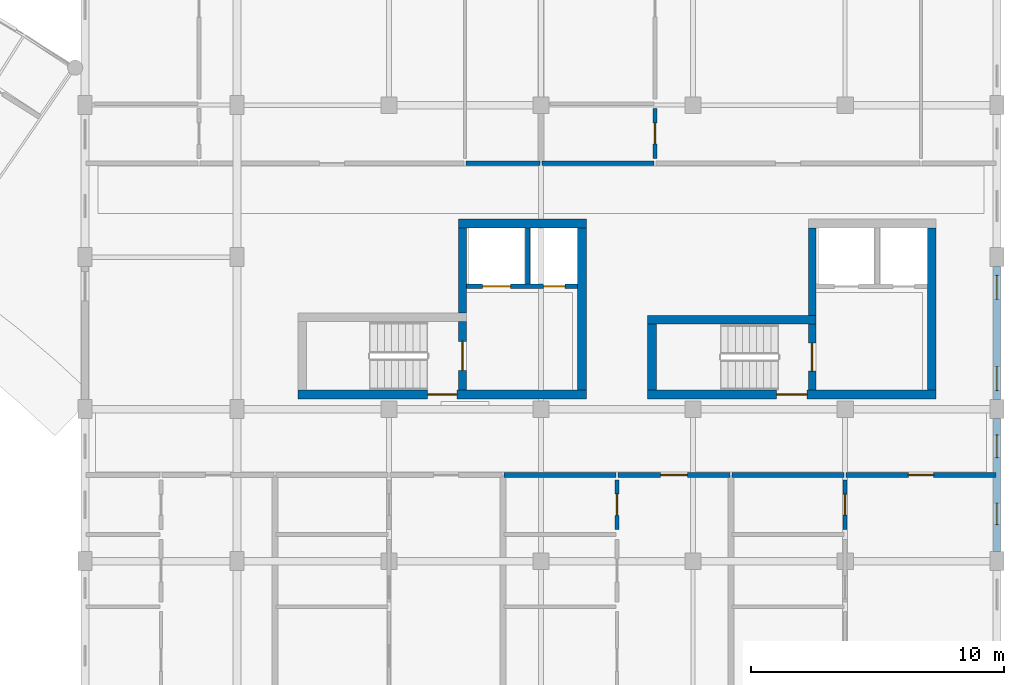
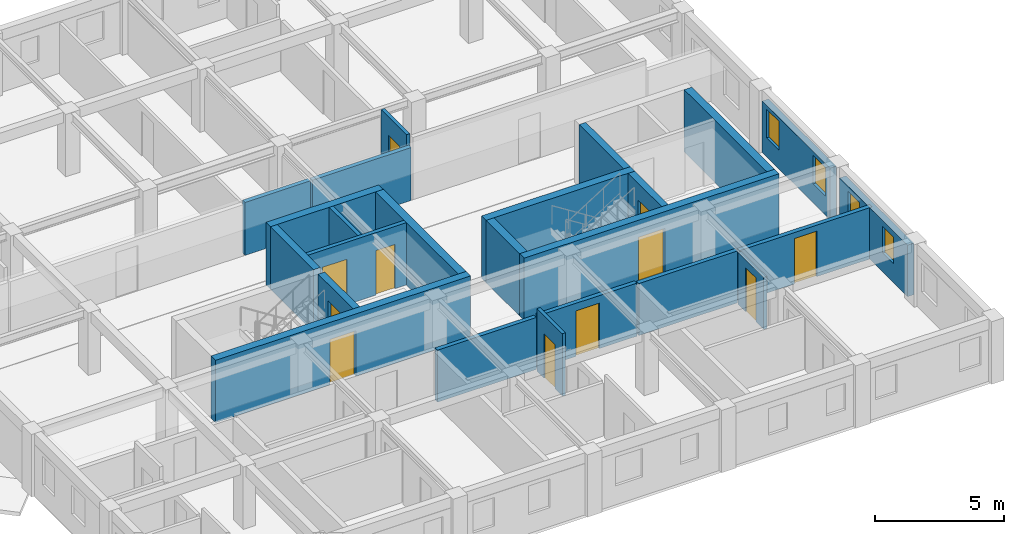
# One storey, part 79 of 100: 24 walls, 11 doors, 4 windows, 15 openings.
"""IFC4 building model written with IfcOpenShell, lengths in metres."""

import ifcopenshell
import ifcopenshell.guid

model = None  # the IFC model being written
_history = None  # IfcOwnerHistory: only IFC2X3 demands one
_inside = {}  # id of a spatial element -> (the spatial element, [elements in it])
_under = {}  # id of a project, library or spatial element -> (it, [spatial elements below it])
_declared = {}  # id of a project -> (the project, [libraries it declares])
_typed = {}  # id of a type object -> (the type object, [elements of that type])
_made_of = {}  # id of a material, layer set ... -> (it, [elements and type objects made of it])


def new_model(schema):
    """Start an empty IFC model of exactly this schema.

    Asked for "IFC4X3", IfcOpenShell would pick the latest addendum, in which some entities
    have other attributes; the version numbers below select the first issue.
    IFC2X3 requires an IfcOwnerHistory on every rooted entity: one is made here for all.
    """
    global model, _history
    if schema == "IFC4X3":
        model = ifcopenshell.file(schema_version=(4, 3, 0, 0))
    else:
        model = ifcopenshell.file(schema=schema)
    _inside.clear()
    _under.clear()
    _declared.clear()
    _typed.clear()
    _made_of.clear()
    _history = None
    if model.schema == "IFC2X3":
        org = make("IfcOrganization", Name="unknown")
        user = make(
            "IfcPersonAndOrganization",
            ThePerson=make("IfcPerson", FamilyName="unknown"),
            TheOrganization=org,
        )
        app = make(
            "IfcApplication",
            ApplicationDeveloper=org,
            Version="unknown",
            ApplicationFullName="unknown",
            ApplicationIdentifier="unknown",
        )
        _history = make(
            "IfcOwnerHistory",
            OwningUser=user,
            OwningApplication=app,
            ChangeAction="ADDED",
            CreationDate=0,
        )
    return model


def make(cls, **values):
    """One entity of the class cls with the attributes given. An attribute that is None is left unset."""
    return model.create_entity(
        cls, **{name: value for name, value in values.items() if value is not None}
    )


def rooted(cls, **values):
    """An entity with a GlobalId (a new one), such as an element, a storey or a relation."""
    return make(cls, GlobalId=ifcopenshell.guid.new(), OwnerHistory=_history, **values)


def si_unit(unit_type, name, prefix=None):
    """IfcSIUnit, for example si_unit("LENGTHUNIT", "METRE", prefix="MILLI")."""
    return make("IfcSIUnit", UnitType=unit_type, Prefix=prefix, Name=name)


def assignment(units):
    """IfcUnitAssignment: the units of a project."""
    return None if units is None else make("IfcUnitAssignment", Units=units)


def point(xyz):
    """IfcCartesianPoint."""
    return None if xyz is None else make("IfcCartesianPoint", Coordinates=xyz)


def direction(xyz):
    """IfcDirection."""
    return None if xyz is None else make("IfcDirection", DirectionRatios=xyz)


def frame(location, z_axis=None, x_axis=None):
    """IfcAxis2Placement3D, a coordinate frame: its origin and axes. An axis left out is left unset."""
    return make(
        "IfcAxis2Placement3D",
        Location=point(location),
        Axis=direction(z_axis),
        RefDirection=direction(x_axis),
    )


def frame_2d(location, x_axis=None):
    """IfcAxis2Placement2D, a coordinate frame in the plane: its origin and x axis."""
    return make(
        "IfcAxis2Placement2D", Location=point(location), RefDirection=direction(x_axis)
    )


def origin():
    """The frame at (0, 0, 0) with its axes left unset."""
    return frame((0.0, 0.0, 0.0))


def place(relative_to, where):
    """IfcLocalPlacement: puts the frame where relative to a parent placement (None: the world)."""
    return make(
        "IfcLocalPlacement", PlacementRelTo=relative_to, RelativePlacement=where
    )


def context(
    kind, dimensions, precision=None, world=None, true_north=None, identifier=None
):
    """IfcGeometricRepresentationContext, for example the 3D "Model" context."""
    return make(
        "IfcGeometricRepresentationContext",
        ContextIdentifier=identifier,
        ContextType=kind,
        CoordinateSpaceDimension=dimensions,
        Precision=precision,
        WorldCoordinateSystem=world,
        TrueNorth=true_north,
    )


def subcontext(parent, identifier, kind, view, scale=None):
    """IfcGeometricRepresentationSubContext, for example "Body" below "Model"."""
    return make(
        "IfcGeometricRepresentationSubContext",
        ContextIdentifier=identifier,
        ContextType=kind,
        ParentContext=parent,
        TargetScale=scale,
        TargetView=view,
    )


def project(units=None, contexts=None):
    """IfcProject with its units and contexts."""
    return rooted(
        "IfcProject",
        Name="project",
        RepresentationContexts=contexts,
        UnitsInContext=assignment(units),
    )


def spatial(cls, under=None, at=None, **own):
    """A site, building, storey or space (cls), placed at a placement, below another one or the project."""
    s = rooted(cls, ObjectPlacement=at, **own)
    if under is not None:
        _under.setdefault(under.id(), (under, []))[1].append(s)
    return s


def profile(cls, at=None, kind="AREA", **sizes):
    """A parametric profile (cls). Its sizes go by their IFC names, for example OverallWidth=200.0."""
    return make(cls, ProfileType=kind, Position=at, **sizes)


def rectangle(**sizes):
    """IfcRectangleProfileDef."""
    return profile("IfcRectangleProfileDef", **sizes)


def extrude(swept, where, along, depth):
    """IfcExtrudedAreaSolid: the profile swept, set in the frame where, extruded along a direction by depth."""
    return make(
        "IfcExtrudedAreaSolid",
        SweptArea=swept,
        Position=where,
        ExtrudedDirection=direction(along),
        Depth=depth,
    )


def shape(context_of_items, identifier, shape_type, items):
    """IfcShapeRepresentation: the items that make up one representation, for example the "Body"."""
    return make(
        "IfcShapeRepresentation",
        ContextOfItems=context_of_items,
        RepresentationIdentifier=identifier,
        RepresentationType=shape_type,
        Items=items,
    )


def material(Name=None, Category=None):
    """IfcMaterial."""
    return make("IfcMaterial", Name=Name, Category=Category)


def layer(
    of_material, thickness, ventilated=None, Name=None, Category=None, Priority=None
):
    """IfcMaterialLayer: one layer of a wall or slab, of a material (None: an air gap)."""
    return make(
        "IfcMaterialLayer",
        Material=of_material,
        LayerThickness=thickness,
        IsVentilated=ventilated,
        Name=Name,
        Category=Category,
        Priority=Priority,
    )


def layer_set(layers, Name=None):
    """IfcMaterialLayerSet."""
    return make("IfcMaterialLayerSet", MaterialLayers=layers, LayerSetName=Name)


def made_of(thing, what):
    """Note that an element or type object is made of a material, layer set ...; save() writes the relation."""
    if what is not None:
        _made_of.setdefault(what.id(), (what, []))[1].append(thing)
    return thing


def type_object(cls, material=None, **own):
    """A type object (cls), such as IfcWallType, which elements share."""
    return made_of(rooted(cls, **own), material)


def element(
    cls,
    number,
    at=None,
    inside=None,
    cuts=None,
    type_object=None,
    material=None,
    context=None,
    identifier="Body",
    shape_type=None,
    held_by="IfcProductDefinitionShape",
    body=None,
    shapes=None,
    **own,
):
    """One element of the class cls, such as IfcWall. Its Tag is "e" and its number.

    at: its placement. inside: the storey or other place that contains it. cuts: it is an
    opening in that element (IfcRelVoidsElement). A single representation is given by context,
    identifier, shape_type and body (its items); several are given by shapes. held_by: the class
    of the entity that holds the representations. save() writes the other relations.
    """
    e = rooted(cls, Tag="e%d" % number, ObjectPlacement=at, **own)
    if body is not None:
        shapes = [shape(context, identifier, shape_type, body)]
    if shapes is not None:
        e.Representation = make(held_by, Representations=shapes)
    if inside is not None:
        _inside.setdefault(inside.id(), (inside, []))[1].append(e)
    if cuts is not None:
        rooted(
            "IfcRelVoidsElement", RelatingBuildingElement=cuts, RelatedOpeningElement=e
        )
    if type_object is not None:
        _typed.setdefault(type_object.id(), (type_object, []))[1].append(e)
    return made_of(e, material)


def fill(opening, filler):
    """IfcRelFillsElement: the door or window that sits in an opening."""
    return rooted(
        "IfcRelFillsElement",
        RelatingOpeningElement=opening,
        RelatedBuildingElement=filler,
    )


def aggregate(whole, parts):
    """IfcRelAggregates: a whole, such as a stair, and the parts it consists of."""
    return rooted("IfcRelAggregates", RelatingObject=whole, RelatedObjects=parts)


def save(model, path):
    """Write the relations noted so far, then the file.

    IfcRelAggregates (storeys below a building ...), IfcRelContainedInSpatialStructure (elements
    in a storey), IfcRelDefinesByType, IfcRelAssociatesMaterial and IfcRelDeclares: one each for
    every whole, place, type object, material and project.
    """
    for whole, parts in _under.values():
        aggregate(whole, parts)
    for where, things in _inside.values():
        rooted(
            "IfcRelContainedInSpatialStructure",
            RelatedElements=things,
            RelatingStructure=where,
        )
    for kind, things in _typed.values():
        rooted("IfcRelDefinesByType", RelatedObjects=things, RelatingType=kind)
    for what, things in _made_of.values():
        rooted("IfcRelAssociatesMaterial", RelatedObjects=things, RelatingMaterial=what)
    for by, libraries in _declared.values():
        rooted("IfcRelDeclares", RelatingContext=by, RelatedDefinitions=libraries)
    model.write(path)


model = new_model("IFC4")

# Units and contexts
model_context = context("Model", 3, precision=1e-05, world=origin(), true_north=direction((0.0, 1.0)))
body_context = subcontext(model_context, "Body", "Model", "MODEL_VIEW")
ifc_project = project(units=[si_unit("LENGTHUNIT", "METRE"), si_unit("AREAUNIT", "SQUARE_METRE"), si_unit("VOLUMEUNIT", "CUBIC_METRE"), si_unit("PLANEANGLEUNIT", "RADIAN"), si_unit("MASSUNIT", "GRAM", prefix="KILO"), si_unit("POWERUNIT", "WATT"), si_unit("THERMODYNAMICTEMPERATUREUNIT", "KELVIN")], contexts=[model_context])

# Site, building, storey
site_placement = place(None, origin())
site = spatial("IfcSite", under=ifc_project, at=site_placement, CompositionType="ELEMENT")
building_placement = place(site_placement, origin())
building = spatial("IfcBuilding", under=site, at=building_placement, Name="Ruvembo Vaulted Housing Court", CompositionType="ELEMENT")
storey_placement = place(building_placement, frame((0.0, 0.0, 14.10009765625)))
storey = spatial("IfcBuildingStorey", under=building, at=storey_placement, Name="L04", CompositionType="ELEMENT", Elevation=14.10009765625)

# Wall, opening, door
ifc_material_1 = material(Name="Concrete C35/45", Category="concrete")
ifc_layer_1 = layer(ifc_material_1, 0.300048828125, Name="Concrete C35/45")
ifc_layer_set_1 = layer_set([ifc_layer_1], Name="Concrete C35/45")
wall_type_1 = type_object("IfcWallType", Name="WL-CORE-300", PredefinedType="SHEAR", material=ifc_layer_set_1)
wall_1_placement = place(storey_placement, frame((164.89990234375, 84.75, 0.0), z_axis=(0.0, 0.0, 1.0), x_axis=(0.0, 1.0, 0.0)))
wall_1 = element("IfcWall", 1, at=wall_1_placement, inside=storey, type_object=wall_type_1, Name="Core D1 L04 Stair-Lobby Shear Wall", PredefinedType="SHEAR", context=body_context, shape_type="SweptSolid", body=[
    extrude(rectangle(XDim=2.699951171875, YDim=0.300048828125, at=frame_2d((1.35009765625, 0.0))), origin(), (0.0, 0.0, 1.0), 2.949951171875),
])
opening_1_placement = place(wall_1_placement, frame((0.77490234375, 0.0, 0.0)))
opening_1 = element("IfcOpeningElement", 2, at=opening_1_placement, cuts=wall_1, Name="Opening SD1", PredefinedType="OPENING", context=body_context, shape_type="SweptSolid", body=[
    extrude(rectangle(XDim=1.14990234375, YDim=2.14990234375, at=frame_2d((0.574951171875, 1.074951171875))), frame((0.0, 0.159912109375, 0.0), z_axis=(0.0, -1.0, 0.0), x_axis=(1.0, 0.0, 0.0)), (0.0, 0.0, 1.0), 0.320068359375),
])
ifc_material_2 = material(Name="Galvanised Painted Steel", Category="steel")
door_type_1 = type_object("IfcDoorType", Name="DR-STAIR-1150x2150", OperationType="NOTDEFINED", PredefinedType="DOOR", material=ifc_material_2)
door_1_placement = place(opening_1_placement, origin())
door_1 = element("IfcDoor", 3, at=door_1_placement, inside=storey, type_object=door_type_1, Name="Stair ST-D1 L04 Fire Door", OperationType="SINGLE_SWING_LEFT", OverallHeight=2.14990234375, OverallWidth=1.14990234375, PredefinedType="DOOR", context=body_context, shape_type="SweptSolid", body=[
    extrude(rectangle(XDim=1.14990234375, YDim=2.14990234375, at=frame_2d((0.574951171875, 1.074951171875))), frame((0.0, 0.02490234375, 0.0), z_axis=(0.0, -1.0, 0.0), x_axis=(1.0, 0.0, 0.0)), (0.0, 0.0, 1.0), 0.050048828125),
])
fill(opening_1, door_1)

# Wall
wall_2_placement = place(storey_placement, frame((164.89990234375, 87.800048828125, 0.0), z_axis=(0.0, 0.0, 1.0), x_axis=(0.0, 1.0, 0.0)))
element("IfcWall", 4, at=wall_2_placement, inside=storey, type_object=wall_type_1, Name="Core D1 L04 Upper West Shear Wall", PredefinedType="SHEAR", context=body_context, shape_type="SweptSolid", body=[
    extrude(rectangle(XDim=3.349853515625, YDim=0.300048828125, at=frame_2d((1.6748046875, 0.0))), origin(), (0.0, 0.0, 1.0), 2.949951171875),
])

# Wall, opening, door
wall_3_placement = place(storey_placement, frame((178.699951171875, 84.75, 0.0), z_axis=(0.0, 0.0, 1.0), x_axis=(0.0, 1.0, 0.0)))
wall_3 = element("IfcWall", 5, at=wall_3_placement, inside=storey, type_object=wall_type_1, Name="Core D2 L04 Stair-Lobby Shear Wall", PredefinedType="SHEAR", context=body_context, shape_type="SweptSolid", body=[
    extrude(rectangle(XDim=2.60009765625, YDim=0.300048828125, at=frame_2d((1.300048828125, 0.0))), origin(), (0.0, 0.0, 1.0), 2.949951171875),
])
opening_2_placement = place(wall_3_placement, frame((0.75, 0.0, 0.0)))
opening_2 = element("IfcOpeningElement", 6, at=opening_2_placement, cuts=wall_3, Name="Opening SD2", PredefinedType="OPENING", context=body_context, shape_type="SweptSolid", body=[
    extrude(rectangle(XDim=1.10009765625, YDim=2.14990234375, at=frame_2d((0.550048828125, 1.074951171875))), frame((0.0, 0.159912109375, 0.0), z_axis=(0.0, -1.0, 0.0), x_axis=(1.0, 0.0, 0.0)), (0.0, 0.0, 1.0), 0.320068359375),
])
door_type_2 = type_object("IfcDoorType", Name="DR-STAIR-1100x2150", OperationType="NOTDEFINED", PredefinedType="DOOR", material=ifc_material_2)
door_2_placement = place(opening_2_placement, origin())
door_2 = element("IfcDoor", 7, at=door_2_placement, inside=storey, type_object=door_type_2, Name="Stair ST-D2 L04 Fire Door", OperationType="SINGLE_SWING_LEFT", OverallHeight=2.14990234375, OverallWidth=1.10009765625, PredefinedType="DOOR", context=body_context, shape_type="SweptSolid", body=[
    extrude(rectangle(XDim=1.10009765625, YDim=2.14990234375, at=frame_2d((0.550048828125, 1.074951171875))), frame((0.0, 0.02490234375, 0.0), z_axis=(0.0, -1.0, 0.0), x_axis=(1.0, 0.0, 0.0)), (0.0, 0.0, 1.0), 0.050048828125),
])
fill(opening_2, door_2)

# Wall
wall_4_placement = place(storey_placement, frame((178.699951171875, 87.699951171875, 0.0), z_axis=(0.0, 0.0, 1.0), x_axis=(0.0, 1.0, 0.0)))
element("IfcWall", 8, at=wall_4_placement, inside=storey, type_object=wall_type_1, Name="Core D2 L04 Upper West Shear Wall", PredefinedType="SHEAR", context=body_context, shape_type="SweptSolid", body=[
    extrude(rectangle(XDim=3.449951171875, YDim=0.300048828125, at=frame_2d((1.72509765625, 0.0))), origin(), (0.0, 0.0, 1.0), 2.949951171875),
])

# Wall, opening, door
ifc_layer_2 = layer(ifc_material_1, 0.35009765625, Name="Concrete C35/45")
ifc_layer_set_2 = layer_set([ifc_layer_2], Name="Concrete C35/45")
wall_type_2 = type_object("IfcWallType", Name="WL-CORE-350", PredefinedType="SHEAR", material=ifc_layer_set_2)
wall_5_placement = place(storey_placement, frame((158.39990234375, 84.574951171875, 0.0), z_axis=(0.0, 0.0, 1.0), x_axis=(1.0, 0.0, 0.0)))
wall_5 = element("IfcWall", 9, at=wall_5_placement, inside=storey, type_object=wall_type_2, Name="Core D1 L04 South Shear Wall", PredefinedType="SHEAR", context=body_context, shape_type="SweptSolid", body=[
    extrude(rectangle(XDim=11.400146484375, YDim=0.35009765625, at=frame_2d((5.7001953125, 0.0))), origin(), (0.0, 0.0, 1.0), 2.949951171875),
])
opening_3_placement = place(wall_5_placement, frame((5.125, 0.0, 0.0)))
opening_3 = element("IfcOpeningElement", 10, at=opening_3_placement, cuts=wall_5, Name="Opening LD0", PredefinedType="OPENING", context=body_context, shape_type="SweptSolid", body=[
    extrude(rectangle(XDim=1.14990234375, YDim=2.14990234375, at=frame_2d((0.574951171875, 1.074951171875))), frame((0.0, 0.18505859375, 0.0), z_axis=(0.0, -1.0, 0.0), x_axis=(1.0, 0.0, 0.0)), (0.0, 0.0, 1.0), 0.3701171875),
])
door_type_3 = type_object("IfcDoorType", Name="DR-LOB-1150x2150", OperationType="NOTDEFINED", PredefinedType="DOOR", material=ifc_material_2)
door_3_placement = place(opening_3_placement, origin())
door_3 = element("IfcDoor", 11, at=door_3_placement, inside=storey, type_object=door_type_3, Name="Core D1 L04 Lobby Fire Door", OperationType="SINGLE_SWING_RIGHT", OverallHeight=2.14990234375, OverallWidth=1.14990234375, PredefinedType="DOOR", context=body_context, shape_type="SweptSolid", body=[
    extrude(rectangle(XDim=1.14990234375, YDim=2.14990234375, at=frame_2d((0.574951171875, 1.074951171875))), frame((0.0, 0.02490234375, 0.0), z_axis=(0.0, -1.0, 0.0), x_axis=(1.0, 0.0, 0.0)), (0.0, 0.0, 1.0), 0.050048828125),
])
fill(opening_3, door_3)

# Walls
wall_6_placement = place(storey_placement, frame((169.800048828125, 91.324951171875, 0.0), z_axis=(0.0, 0.0, 1.0), x_axis=(-1.0, 0.0, 0.0)))
element("IfcWall", 12, at=wall_6_placement, inside=storey, type_object=wall_type_2, Name="Core D1 L04 North Shear Wall", PredefinedType="SHEAR", context=body_context, shape_type="SweptSolid", body=[
    extrude(rectangle(XDim=5.050048828125, YDim=0.35009765625, at=frame_2d((2.52490234375, 0.0))), origin(), (0.0, 0.0, 1.0), 2.949951171875),
])
wall_7_placement = place(storey_placement, frame((169.625, 84.75, 0.0), z_axis=(0.0, 0.0, 1.0), x_axis=(0.0, 1.0, 0.0)))
element("IfcWall", 13, at=wall_7_placement, inside=storey, type_object=wall_type_2, Name="Core D1 L04 East Shear Wall", PredefinedType="SHEAR", context=body_context, shape_type="SweptSolid", body=[
    extrude(rectangle(XDim=6.39990234375, YDim=0.35009765625, at=frame_2d((3.199951171875, 0.0))), origin(), (0.0, 0.0, 1.0), 2.949951171875),
])

# Wall, opening, door
wall_8_placement = place(storey_placement, frame((172.199951171875, 84.574951171875, 0.0), z_axis=(0.0, 0.0, 1.0), x_axis=(1.0, 0.0, 0.0)))
wall_8 = element("IfcWall", 14, at=wall_8_placement, inside=storey, type_object=wall_type_2, Name="Core D2 L04 South Shear Wall", PredefinedType="SHEAR", context=body_context, shape_type="SweptSolid", body=[
    extrude(rectangle(XDim=11.400146484375, YDim=0.35009765625, at=frame_2d((5.7001953125, 0.0))), origin(), (0.0, 0.0, 1.0), 2.949951171875),
])
opening_4_placement = place(wall_8_placement, frame((5.10009765625, 0.0, 0.0)))
opening_4 = element("IfcOpeningElement", 15, at=opening_4_placement, cuts=wall_8, Name="Opening LD3", PredefinedType="OPENING", context=body_context, shape_type="SweptSolid", body=[
    extrude(rectangle(XDim=1.199951171875, YDim=2.14990234375, at=frame_2d((0.60009765625, 1.074951171875))), frame((0.0, 0.18505859375, 0.0), z_axis=(0.0, -1.0, 0.0), x_axis=(1.0, 0.0, 0.0)), (0.0, 0.0, 1.0), 0.3701171875),
])
door_type_4 = type_object("IfcDoorType", Name="DR-LOB-1200x2150", OperationType="NOTDEFINED", PredefinedType="DOOR", material=ifc_material_2)
door_4_placement = place(opening_4_placement, origin())
door_4 = element("IfcDoor", 16, at=door_4_placement, inside=storey, type_object=door_type_4, Name="Core D2 L04 Lobby Fire Door", OperationType="SINGLE_SWING_RIGHT", OverallHeight=2.14990234375, OverallWidth=1.199951171875, PredefinedType="DOOR", context=body_context, shape_type="SweptSolid", body=[
    extrude(rectangle(XDim=1.199951171875, YDim=2.14990234375, at=frame_2d((0.60009765625, 1.074951171875))), frame((0.0, 0.02490234375, 0.0), z_axis=(0.0, -1.0, 0.0), x_axis=(1.0, 0.0, 0.0)), (0.0, 0.0, 1.0), 0.050048828125),
])
fill(opening_4, door_4)

# Walls
wall_9_placement = place(storey_placement, frame((178.85009765625, 87.52490234375, 0.0), z_axis=(0.0, 0.0, 1.0), x_axis=(-1.0, 0.0, 0.0)))
element("IfcWall", 17, at=wall_9_placement, inside=storey, type_object=wall_type_2, Name="Core D2 L04 Stair North Shear Wall", PredefinedType="SHEAR", context=body_context, shape_type="SweptSolid", body=[
    extrude(rectangle(XDim=6.650146484375, YDim=0.35009765625, at=frame_2d((3.3251953125, 0.0))), origin(), (0.0, 0.0, 1.0), 2.949951171875),
])
wall_10_placement = place(storey_placement, frame((172.375, 87.35009765625, 0.0), z_axis=(0.0, 0.0, 1.0), x_axis=(0.0, -1.0, 0.0)))
element("IfcWall", 18, at=wall_10_placement, inside=storey, type_object=wall_type_2, Name="Core D2 L04 Stair West Shear Wall", PredefinedType="SHEAR", context=body_context, shape_type="SweptSolid", body=[
    extrude(rectangle(XDim=2.60009765625, YDim=0.35009765625, at=frame_2d((1.300048828125, 0.0))), origin(), (0.0, 0.0, 1.0), 2.949951171875),
])
wall_11_placement = place(storey_placement, frame((183.425048828125, 84.75, 0.0), z_axis=(0.0, 0.0, 1.0), x_axis=(0.0, 1.0, 0.0)))
element("IfcWall", 19, at=wall_11_placement, inside=storey, type_object=wall_type_2, Name="Core D2 L04 East Shear Wall", PredefinedType="SHEAR", context=body_context, shape_type="SweptSolid", body=[
    extrude(rectangle(XDim=6.39990234375, YDim=0.35009765625, at=frame_2d((3.199951171875, 0.0))), origin(), (0.0, 0.0, 1.0), 2.949951171875),
])
ifc_material_3 = material(Name="Concrete Blockwork 190", Category="masonry")
ifc_layer_3 = layer(ifc_material_3, 0.18994140625, Name="Concrete Blockwork 190")
ifc_layer_set_3 = layer_set([ifc_layer_3], Name="Concrete Blockwork 190")
wall_type_3 = type_object("IfcWallType", Name="WL-CORR-190", PredefinedType="SOLIDWALL", material=ifc_layer_set_3)
wall_12_placement = place(storey_placement, frame((166.5400390625, 81.39990234375, 0.0), z_axis=(0.0, 0.0, 1.0), x_axis=(1.0, 0.0, 0.0)))
element("IfcWall", 20, at=wall_12_placement, inside=storey, type_object=wall_type_3, Name="L04 Flat D-L04-S3 Corridor Wall WL-INT-L04-01254", PredefinedType="SOLIDWALL", context=body_context, shape_type="SweptSolid", body=[
    extrude(rectangle(XDim=4.419921875, YDim=0.18994140625, at=frame_2d((2.2099609375, 0.0))), origin(), (0.0, 0.0, 1.0), 2.4580078125),
])

# Wall, opening, door
wall_13_placement = place(storey_placement, frame((171.0400390625, 81.39990234375, 0.0), z_axis=(0.0, 0.0, 1.0), x_axis=(1.0, 0.0, 0.0)))
wall_13 = element("IfcWall", 21, at=wall_13_placement, inside=storey, type_object=wall_type_3, Name="L04 Flat D-L04-S3 Entrance WL-INT-L04-01255", PredefinedType="SOLIDWALL", context=body_context, shape_type="SweptSolid", body=[
    extrude(rectangle(XDim=4.419921875, YDim=0.18994140625, at=frame_2d((2.2099609375, 0.0))), origin(), (0.0, 0.0, 1.0), 2.5078125),
])
opening_5_placement = place(wall_13_placement, frame((1.68505859375, 0.0, 0.0)))
opening_5 = element("IfcOpeningElement", 22, at=opening_5_placement, cuts=wall_13, Name="Opening FD3", PredefinedType="OPENING", context=body_context, shape_type="SweptSolid", body=[
    extrude(rectangle(XDim=1.050048828125, YDim=2.14990234375, at=frame_2d((0.52490234375, 1.074951171875))), frame((0.0, 0.10498046875, 0.0), z_axis=(0.0, -1.0, 0.0), x_axis=(1.0, 0.0, 0.0)), (0.0, 0.0, 1.0), 0.2099609375),
])
ifc_material_4 = material(Name="FSC Hardwood and Engineered Timber", Category="wood")
door_type_5 = type_object("IfcDoorType", Name="DR-FLAT-1050x2150", OperationType="NOTDEFINED", PredefinedType="DOOR", material=ifc_material_4)
door_5_placement = place(opening_5_placement, origin())
door_5 = element("IfcDoor", 23, at=door_5_placement, inside=storey, type_object=door_type_5, Name="L04 Flat D-L04-S3 Entrance Door DR-INT-L04-00698", OperationType="SINGLE_SWING_RIGHT", OverallHeight=2.14990234375, OverallWidth=1.050048828125, PredefinedType="DOOR", context=body_context, shape_type="SweptSolid", body=[
    extrude(rectangle(XDim=1.050048828125, YDim=2.14990234375, at=frame_2d((0.52490234375, 1.074951171875))), frame((0.0, 0.02490234375, 0.0), z_axis=(0.0, -1.0, 0.0), x_axis=(1.0, 0.0, 0.0)), (0.0, 0.0, 1.0), 0.050048828125),
])
fill(opening_5, door_5)

# Wall
wall_14_placement = place(storey_placement, frame((175.5400390625, 81.39990234375, 0.0), z_axis=(0.0, 0.0, 1.0), x_axis=(1.0, 0.0, 0.0)))
element("IfcWall", 24, at=wall_14_placement, inside=storey, type_object=wall_type_3, Name="L04 Flat D-L04-S4 Corridor Wall WL-INT-L04-01261", PredefinedType="SOLIDWALL", context=body_context, shape_type="SweptSolid", body=[
    extrude(rectangle(XDim=4.419921875, YDim=0.18994140625, at=frame_2d((2.2099609375, 0.0))), origin(), (0.0, 0.0, 1.0), 2.4580078125),
])

# Wall, opening, door
wall_15_placement = place(storey_placement, frame((180.0400390625, 81.39990234375, 0.0), z_axis=(0.0, 0.0, 1.0), x_axis=(1.0, 0.0, 0.0)))
wall_15 = element("IfcWall", 25, at=wall_15_placement, inside=storey, type_object=wall_type_3, Name="L04 Flat D-L04-S4 Entrance WL-INT-L04-01262", PredefinedType="SOLIDWALL", context=body_context, shape_type="SweptSolid", body=[
    extrude(rectangle(XDim=5.919921875, YDim=0.18994140625, at=frame_2d((2.9599609375, 0.0))), origin(), (0.0, 0.0, 1.0), 2.431884765625),
])
opening_6_placement = place(wall_15_placement, frame((2.4599609375, 0.0, 0.0)))
opening_6 = element("IfcOpeningElement", 26, at=opening_6_placement, cuts=wall_15, Name="Opening FD1", PredefinedType="OPENING", context=body_context, shape_type="SweptSolid", body=[
    extrude(rectangle(XDim=1.0, YDim=2.14990234375, at=frame_2d((0.5, 1.074951171875))), frame((0.0, 0.10498046875, 0.0), z_axis=(0.0, -1.0, 0.0), x_axis=(1.0, 0.0, 0.0)), (0.0, 0.0, 1.0), 0.2099609375),
])
door_type_6 = type_object("IfcDoorType", Name="DR-FLAT-1000x2150", OperationType="NOTDEFINED", PredefinedType="DOOR", material=ifc_material_4)
door_6_placement = place(opening_6_placement, origin())
door_6 = element("IfcDoor", 27, at=door_6_placement, inside=storey, type_object=door_type_6, Name="L04 Flat D-L04-S4 Entrance Door DR-INT-L04-00702", OperationType="SINGLE_SWING_RIGHT", OverallHeight=2.14990234375, OverallWidth=1.0, PredefinedType="DOOR", context=body_context, shape_type="SweptSolid", body=[
    extrude(rectangle(XDim=1.0, YDim=2.14990234375, at=frame_2d((0.5, 1.074951171875))), frame((0.0, 0.02490234375, 0.0), z_axis=(0.0, -1.0, 0.0), x_axis=(1.0, 0.0, 0.0)), (0.0, 0.0, 1.0), 0.050048828125),
])
fill(opening_6, door_6)

# Walls
wall_16_placement = place(storey_placement, frame((165.0400390625, 93.699951171875, 0.0), z_axis=(0.0, 0.0, 1.0), x_axis=(1.0, 0.0, 0.0)))
element("IfcWall", 28, at=wall_16_placement, inside=storey, type_object=wall_type_3, Name="L04 Flat D-L04-N1 Corridor Wall 2 WL-INT-L04-01276", PredefinedType="SOLIDWALL", context=body_context, shape_type="SweptSolid", body=[
    extrude(rectangle(XDim=2.919921875, YDim=0.18994140625, at=frame_2d((1.4599609375, 0.0))), origin(), (0.0, 0.0, 1.0), 2.5078125),
])
wall_17_placement = place(storey_placement, frame((168.0400390625, 93.699951171875, 0.0), z_axis=(0.0, 0.0, 1.0), x_axis=(1.0, 0.0, 0.0)))
element("IfcWall", 29, at=wall_17_placement, inside=storey, type_object=wall_type_3, Name="L04 Flat D-L04-N2 Corridor Wall WL-INT-L04-01278", PredefinedType="SOLIDWALL", context=body_context, shape_type="SweptSolid", body=[
    extrude(rectangle(XDim=4.419921875, YDim=0.18994140625, at=frame_2d((2.2099609375, 0.0))), origin(), (0.0, 0.0, 1.0), 2.5078125),
])

# Wall, openings, windows
ifc_material_5 = material(Name="Rendered Masonry 285", Category="masonry")
ifc_layer_4 = layer(ifc_material_5, 0.284912109375, Name="Rendered Masonry 285")
ifc_layer_set_4 = layer_set([ifc_layer_4], Name="Rendered Masonry 285")
wall_type_4 = type_object("IfcWallType", Name="WL-EXT-285", PredefinedType="STANDARD", material=ifc_layer_set_4)
wall_18_placement = place(storey_placement, frame((186.0, 78.375, 0.0), z_axis=(0.0, 0.0, 1.0), x_axis=(0.0, 1.0, 0.0)))
wall_18 = element("IfcWall", 30, at=wall_18_placement, inside=storey, type_object=wall_type_4, Name="Block D L04 Exterior Wall EAST #2", PredefinedType="STANDARD", context=body_context, shape_type="SweptSolid", body=[
    extrude(rectangle(XDim=5.25, YDim=0.284912109375, at=frame_2d((2.625, 0.0))), origin(), (0.0, 0.0, 1.0), 2.431884765625),
])
opening_7_placement = place(wall_18_placement, frame((1.0673828125, 0.0, 0.89990234375)))
opening_7 = element("IfcOpeningElement", 31, at=opening_7_placement, cuts=wall_18, Name="Opening W03", PredefinedType="OPENING", context=body_context, shape_type="SweptSolid", body=[
    extrude(rectangle(XDim=0.85009765625, YDim=1.25, at=frame_2d((0.425048828125, 0.625))), frame((0.0, 0.15234375, 0.0), z_axis=(0.0, -1.0, 0.0), x_axis=(1.0, 0.0, 0.0)), (0.0, 0.0, 1.0), 0.304931640625),
])
opening_8_placement = place(wall_18_placement, frame((3.70751953125, 0.0, 0.89990234375)))
opening_8 = element("IfcOpeningElement", 32, at=opening_8_placement, cuts=wall_18, Name="Opening W04", PredefinedType="OPENING", context=body_context, shape_type="SweptSolid", body=[
    extrude(rectangle(XDim=0.89990234375, YDim=1.300048828125, at=frame_2d((0.449951171875, 0.64990234375))), frame((0.0, 0.15234375, 0.0), z_axis=(0.0, -1.0, 0.0), x_axis=(1.0, 0.0, 0.0)), (0.0, 0.0, 1.0), 0.304931640625),
])
ifc_material_6 = material(Name="Double Solar-Control Glazing in Aluminium Frame", Category="aluminium")
window_type_1 = type_object("IfcWindowType", Name="WIN-0850x1250", PartitioningType="SINGLE_PANEL", PredefinedType="WINDOW", material=ifc_material_6)
window_1_placement = place(opening_7_placement, origin())
window_1 = element("IfcWindow", 33, at=window_1_placement, inside=storey, type_object=window_type_1, Name="Block D L04 Window #1633", OverallHeight=1.25, OverallWidth=0.85009765625, PartitioningType="SINGLE_PANEL", PredefinedType="WINDOW", context=body_context, shape_type="SweptSolid", body=[
    extrude(rectangle(XDim=0.85009765625, YDim=1.25, at=frame_2d((0.425048828125, 0.625))), frame((0.0, 0.030029296875, 0.0), z_axis=(0.0, -1.0, 0.0), x_axis=(1.0, 0.0, 0.0)), (0.0, 0.0, 1.0), 0.06005859375),
])
fill(opening_7, window_1)
window_type_2 = type_object("IfcWindowType", Name="WIN-0900x1300", PartitioningType="SINGLE_PANEL", PredefinedType="WINDOW", material=ifc_material_6)
window_2_placement = place(opening_8_placement, origin())
window_2 = element("IfcWindow", 34, at=window_2_placement, inside=storey, type_object=window_type_2, Name="Block D L04 Window #1634", OverallHeight=1.300048828125, OverallWidth=0.89990234375, PartitioningType="SINGLE_PANEL", PredefinedType="WINDOW", context=body_context, shape_type="SweptSolid", body=[
    extrude(rectangle(XDim=0.89990234375, YDim=1.300048828125, at=frame_2d((0.449951171875, 0.64990234375))), frame((0.0, 0.030029296875, 0.0), z_axis=(0.0, -1.0, 0.0), x_axis=(1.0, 0.0, 0.0)), (0.0, 0.0, 1.0), 0.06005859375),
])
fill(opening_8, window_2)

wall_19_placement = place(storey_placement, frame((186.0, 84.375, 0.0), z_axis=(0.0, 0.0, 1.0), x_axis=(0.0, 1.0, 0.0)))
wall_19 = element("IfcWall", 35, at=wall_19_placement, inside=storey, type_object=wall_type_4, Name="Block D L04 Exterior Wall EAST #3", PredefinedType="STANDARD", context=body_context, shape_type="SweptSolid", body=[
    extrude(rectangle(XDim=5.25, YDim=0.284912109375, at=frame_2d((2.625, 0.0))), origin(), (0.0, 0.0, 1.0), 2.431884765625),
])
opening_9_placement = place(wall_19_placement, frame((0.35009765625, 0.0, 0.89990234375)))
opening_9 = element("IfcOpeningElement", 36, at=opening_9_placement, cuts=wall_19, Name="Opening W07", PredefinedType="OPENING", context=body_context, shape_type="SweptSolid", body=[
    extrude(rectangle(XDim=0.949951171875, YDim=1.35009765625, at=frame_2d((0.47509765625, 0.675048828125))), frame((0.0, 0.15234375, 0.0), z_axis=(0.0, -1.0, 0.0), x_axis=(1.0, 0.0, 0.0)), (0.0, 0.0, 1.0), 0.304931640625),
])
opening_10_placement = place(wall_19_placement, frame((3.949951171875, 0.0, 0.89990234375)))
opening_10 = element("IfcOpeningElement", 37, at=opening_10_placement, cuts=wall_19, Name="Opening W07", PredefinedType="OPENING", context=body_context, shape_type="SweptSolid", body=[
    extrude(rectangle(XDim=0.949951171875, YDim=1.35009765625, at=frame_2d((0.47509765625, 0.675048828125))), frame((0.0, 0.15234375, 0.0), z_axis=(0.0, -1.0, 0.0), x_axis=(1.0, 0.0, 0.0)), (0.0, 0.0, 1.0), 0.304931640625),
])
window_type_3 = type_object("IfcWindowType", Name="WIN-0950x1350", PartitioningType="SINGLE_PANEL", PredefinedType="WINDOW", material=ifc_material_6)
window_3_placement = place(opening_9_placement, origin())
window_3 = element("IfcWindow", 38, at=window_3_placement, inside=storey, type_object=window_type_3, Name="Block D L04 Window #1635", OverallHeight=1.35009765625, OverallWidth=0.949951171875, PartitioningType="SINGLE_PANEL", PredefinedType="WINDOW", context=body_context, shape_type="SweptSolid", body=[
    extrude(rectangle(XDim=0.949951171875, YDim=1.35009765625, at=frame_2d((0.47509765625, 0.675048828125))), frame((0.0, 0.030029296875, 0.0), z_axis=(0.0, -1.0, 0.0), x_axis=(1.0, 0.0, 0.0)), (0.0, 0.0, 1.0), 0.06005859375),
])
fill(opening_9, window_3)
window_4_placement = place(opening_10_placement, origin())
window_4 = element("IfcWindow", 39, at=window_4_placement, inside=storey, type_object=window_type_3, Name="Block D L04 Window #1636", OverallHeight=1.35009765625, OverallWidth=0.949951171875, PartitioningType="SINGLE_PANEL", PredefinedType="WINDOW", context=body_context, shape_type="SweptSolid", body=[
    extrude(rectangle(XDim=0.949951171875, YDim=1.35009765625, at=frame_2d((0.47509765625, 0.675048828125))), frame((0.0, 0.030029296875, 0.0), z_axis=(0.0, -1.0, 0.0), x_axis=(1.0, 0.0, 0.0)), (0.0, 0.0, 1.0), 0.06005859375),
])
fill(opening_10, window_4)

# Wall, opening, door
ifc_material_7 = material(Name="Moisture-Resistant Wet Partition 150", Category="gypsum")
ifc_layer_5 = layer(ifc_material_7, 0.14990234375, Name="Moisture-Resistant Wet Partition 150")
ifc_layer_set_5 = layer_set([ifc_layer_5], Name="Moisture-Resistant Wet Partition 150")
wall_type_5 = type_object("IfcWallType", Name="WL-PART-150", PredefinedType="PARTITIONING", material=ifc_layer_set_5)
wall_20_placement = place(storey_placement, frame((171.0, 79.239990234375, 0.0), z_axis=(0.0, 0.0, 1.0), x_axis=(0.0, 1.0, 0.0)))
wall_20 = element("IfcWall", 40, at=wall_20_placement, inside=storey, type_object=wall_type_5, Name="L04 Flat D-L04-S3 Bathroom WL-INT-L04-01258", PredefinedType="PARTITIONING", context=body_context, shape_type="SweptSolid", body=[
    extrude(rectangle(XDim=1.969970703125, YDim=0.14990234375, at=frame_2d((0.98486328125, 0.0))), origin(), (0.0, 0.0, 1.0), 2.949951171875),
])
opening_11_placement = place(wall_20_placement, frame((0.56005859375, 0.0, 0.0)))
opening_11 = element("IfcOpeningElement", 41, at=opening_11_placement, cuts=wall_20, Name="Opening ID2", PredefinedType="OPENING", context=body_context, shape_type="SweptSolid", body=[
    extrude(rectangle(XDim=0.85009765625, YDim=2.10009765625, at=frame_2d((0.425048828125, 1.050048828125))), frame((0.0, 0.0849609375, 0.0), z_axis=(0.0, -1.0, 0.0), x_axis=(1.0, 0.0, 0.0)), (0.0, 0.0, 1.0), 0.169921875),
])
door_type_7 = type_object("IfcDoorType", Name="DR-WET-0850x2100", OperationType="NOTDEFINED", PredefinedType="DOOR", material=ifc_material_4)
door_7_placement = place(opening_11_placement, origin())
door_7 = element("IfcDoor", 42, at=door_7_placement, inside=storey, type_object=door_type_7, Name="L04 Flat D-L04-S3 Bathroom Door DR-INT-L04-00701", OperationType="SINGLE_SWING_LEFT", OverallHeight=2.10009765625, OverallWidth=0.85009765625, PredefinedType="DOOR", context=body_context, shape_type="SweptSolid", body=[
    extrude(rectangle(XDim=0.85009765625, YDim=2.10009765625, at=frame_2d((0.425048828125, 1.050048828125))), frame((0.0, 0.02490234375, 0.0), z_axis=(0.0, -1.0, 0.0), x_axis=(1.0, 0.0, 0.0)), (0.0, 0.0, 1.0), 0.050048828125),
])
fill(opening_11, door_7)

wall_21_placement = place(storey_placement, frame((180.0, 79.239990234375, 0.0), z_axis=(0.0, 0.0, 1.0), x_axis=(0.0, 1.0, 0.0)))
wall_21 = element("IfcWall", 43, at=wall_21_placement, inside=storey, type_object=wall_type_5, Name="L04 Flat D-L04-S4 Bathroom WL-INT-L04-01265", PredefinedType="PARTITIONING", context=body_context, shape_type="SweptSolid", body=[
    extrude(rectangle(XDim=1.969970703125, YDim=0.14990234375, at=frame_2d((0.98486328125, 0.0))), origin(), (0.0, 0.0, 1.0), 2.4580078125),
])
opening_12_placement = place(wall_21_placement, frame((0.574951171875, 0.0, 0.0)))
opening_12 = element("IfcOpeningElement", 44, at=opening_12_placement, cuts=wall_21, Name="Opening ID4", PredefinedType="OPENING", context=body_context, shape_type="SweptSolid", body=[
    extrude(rectangle(XDim=0.820068359375, YDim=2.080078125, at=frame_2d((0.41015625, 1.0400390625))), frame((0.0, 0.0849609375, 0.0), z_axis=(0.0, -1.0, 0.0), x_axis=(1.0, 0.0, 0.0)), (0.0, 0.0, 1.0), 0.169921875),
])
door_type_8 = type_object("IfcDoorType", Name="DR-WET-0820x2080", OperationType="NOTDEFINED", PredefinedType="DOOR", material=ifc_material_4)
door_8_placement = place(opening_12_placement, origin())
door_8 = element("IfcDoor", 45, at=door_8_placement, inside=storey, type_object=door_type_8, Name="L04 Flat D-L04-S4 Bathroom Door DR-INT-L04-00705", OperationType="SINGLE_SWING_LEFT", OverallHeight=2.080078125, OverallWidth=0.820068359375, PredefinedType="DOOR", context=body_context, shape_type="SweptSolid", body=[
    extrude(rectangle(XDim=0.820068359375, YDim=2.080078125, at=frame_2d((0.41015625, 1.0400390625))), frame((0.0, 0.02490234375, 0.0), z_axis=(0.0, -1.0, 0.0), x_axis=(1.0, 0.0, 0.0)), (0.0, 0.0, 1.0), 0.050048828125),
])
fill(opening_12, door_8)

wall_22_placement = place(storey_placement, frame((172.5, 93.889892578125, 0.0), z_axis=(0.0, 0.0, 1.0), x_axis=(0.0, 1.0, 0.0)))
wall_22 = element("IfcWall", 46, at=wall_22_placement, inside=storey, type_object=wall_type_5, Name="L04 Flat D-L04-N2 Bathroom WL-INT-L04-01282", PredefinedType="PARTITIONING", context=body_context, shape_type="SweptSolid", body=[
    extrude(rectangle(XDim=1.97021484375, YDim=0.14990234375, at=frame_2d((0.985107421875, 0.0))), origin(), (0.0, 0.0, 1.0), 2.949951171875),
])
opening_13_placement = place(wall_22_placement, frame((0.574951171875, 0.0, 0.0)))
opening_13 = element("IfcOpeningElement", 47, at=opening_13_placement, cuts=wall_22, Name="Opening ID4", PredefinedType="OPENING", context=body_context, shape_type="SweptSolid", body=[
    extrude(rectangle(XDim=0.820068359375, YDim=2.080078125, at=frame_2d((0.41015625, 1.0400390625))), frame((0.0, 0.0849609375, 0.0), z_axis=(0.0, -1.0, 0.0), x_axis=(1.0, 0.0, 0.0)), (0.0, 0.0, 1.0), 0.169921875),
])
door_9_placement = place(opening_13_placement, origin())
door_9 = element("IfcDoor", 48, at=door_9_placement, inside=storey, type_object=door_type_8, Name="L04 Flat D-L04-N2 Bathroom Door DR-INT-L04-00714", OperationType="SINGLE_SWING_RIGHT", OverallHeight=2.080078125, OverallWidth=0.820068359375, PredefinedType="DOOR", context=body_context, shape_type="SweptSolid", body=[
    extrude(rectangle(XDim=0.820068359375, YDim=2.080078125, at=frame_2d((0.41015625, 1.0400390625))), frame((0.0, 0.02490234375, 0.0), z_axis=(0.0, -1.0, 0.0), x_axis=(1.0, 0.0, 0.0)), (0.0, 0.0, 1.0), 0.050048828125),
])
fill(opening_13, door_9)

# Wall, openings, doors
ifc_material_8 = material(Name="Fire-Rated Masonry Shaft 180", Category="masonry")
ifc_layer_6 = layer(ifc_material_8, 0.179931640625, Name="Fire-Rated Masonry Shaft 180")
ifc_layer_set_6 = layer_set([ifc_layer_6], Name="Fire-Rated Masonry Shaft 180")
wall_type_6 = type_object("IfcWallType", Name="WL-SHAFT-180", PredefinedType="SOLIDWALL", material=ifc_layer_set_6)
wall_23_placement = place(storey_placement, frame((165.050048828125, 88.85009765625, 0.0), z_axis=(0.0, 0.0, 1.0), x_axis=(1.0, 0.0, 0.0)))
wall_23 = element("IfcWall", 49, at=wall_23_placement, inside=storey, type_object=wall_type_6, Name="Core D1 L04 Lift and Riser Front Wall", PredefinedType="SOLIDWALL", context=body_context, shape_type="SweptSolid", body=[
    extrude(rectangle(XDim=4.39990234375, YDim=0.179931640625, at=frame_2d((2.199951171875, 0.0))), origin(), (0.0, 0.0, 1.0), 2.949951171875),
])
opening_14_placement = place(wall_23_placement, frame((0.64990234375, 0.0, 0.0)))
opening_14 = element("IfcOpeningElement", 50, at=opening_14_placement, cuts=wall_23, Name="Opening LD-LP-D1-L04", PredefinedType="OPENING", context=body_context, shape_type="SweptSolid", body=[
    extrude(rectangle(XDim=1.10009765625, YDim=2.14990234375, at=frame_2d((0.550048828125, 1.074951171875))), frame((0.0, 0.099853515625, 0.0), z_axis=(0.0, -1.0, 0.0), x_axis=(1.0, 0.0, 0.0)), (0.0, 0.0, 1.0), 0.199951171875),
])
opening_15_placement = place(wall_23_placement, frame((3.050048828125, 0.0, 0.0)))
opening_15 = element("IfcOpeningElement", 51, at=opening_15_placement, cuts=wall_23, Name="Opening RD1", PredefinedType="OPENING", context=body_context, shape_type="SweptSolid", body=[
    extrude(rectangle(XDim=0.85009765625, YDim=2.10009765625, at=frame_2d((0.425048828125, 1.050048828125))), frame((0.0, 0.099853515625, 0.0), z_axis=(0.0, -1.0, 0.0), x_axis=(1.0, 0.0, 0.0)), (0.0, 0.0, 1.0), 0.199951171875),
])
ifc_material_9 = material(Name="Brushed Stainless Steel 304", Category="steel")
door_type_9 = type_object("IfcDoorType", Name="DR-LIFT-1100x2150", OperationType="NOTDEFINED", PredefinedType="DOOR", material=ifc_material_9)
door_10_placement = place(opening_14_placement, origin())
door_10 = element("IfcDoor", 52, at=door_10_placement, inside=storey, type_object=door_type_9, Name="Lift LP-D1 L04 Sliding Landing Door", OperationType="SLIDING_TO_LEFT", OverallHeight=2.14990234375, OverallWidth=1.10009765625, PredefinedType="DOOR", context=body_context, shape_type="SweptSolid", body=[
    extrude(rectangle(XDim=1.10009765625, YDim=2.14990234375, at=frame_2d((0.550048828125, 1.074951171875))), frame((0.0, 0.02490234375, 0.0), z_axis=(0.0, -1.0, 0.0), x_axis=(1.0, 0.0, 0.0)), (0.0, 0.0, 1.0), 0.050048828125),
])
fill(opening_14, door_10)
door_type_10 = type_object("IfcDoorType", Name="DR-RISER-0850x2100", OperationType="NOTDEFINED", PredefinedType="DOOR", material=ifc_material_2)
door_11_placement = place(opening_15_placement, frame((0.85009765625, 0.0, 0.0), z_axis=(0.0, 0.0, 1.0), x_axis=(-1.0, 0.0, 0.0)))
door_11 = element("IfcDoor", 53, at=door_11_placement, inside=storey, type_object=door_type_10, Name="Core D1 L04 Service Riser Door", OperationType="SINGLE_SWING_RIGHT", OverallHeight=2.10009765625, OverallWidth=0.85009765625, PredefinedType="DOOR", context=body_context, shape_type="SweptSolid", body=[
    extrude(rectangle(XDim=0.85009765625, YDim=2.10009765625, at=frame_2d((0.425048828125, 1.050048828125))), frame((0.0, 0.02490234375, 0.0), z_axis=(0.0, -1.0, 0.0), x_axis=(1.0, 0.0, 0.0)), (0.0, 0.0, 1.0), 0.050048828125),
])
fill(opening_15, door_11)

# Wall
wall_24_placement = place(storey_placement, frame((167.469970703125, 88.93994140625, 0.0), z_axis=(0.0, 0.0, 1.0), x_axis=(0.0, 1.0, 0.0)))
element("IfcWall", 54, at=wall_24_placement, inside=storey, type_object=wall_type_6, Name="Core D1 L04 Shaft-Riser Divider Wall", PredefinedType="SOLIDWALL", context=body_context, shape_type="SweptSolid", body=[
    extrude(rectangle(XDim=2.2099609375, YDim=0.179931640625, at=frame_2d((1.10498046875, 0.0))), origin(), (0.0, 0.0, 1.0), 2.949951171875),
])

save(model, "model.ifc")
